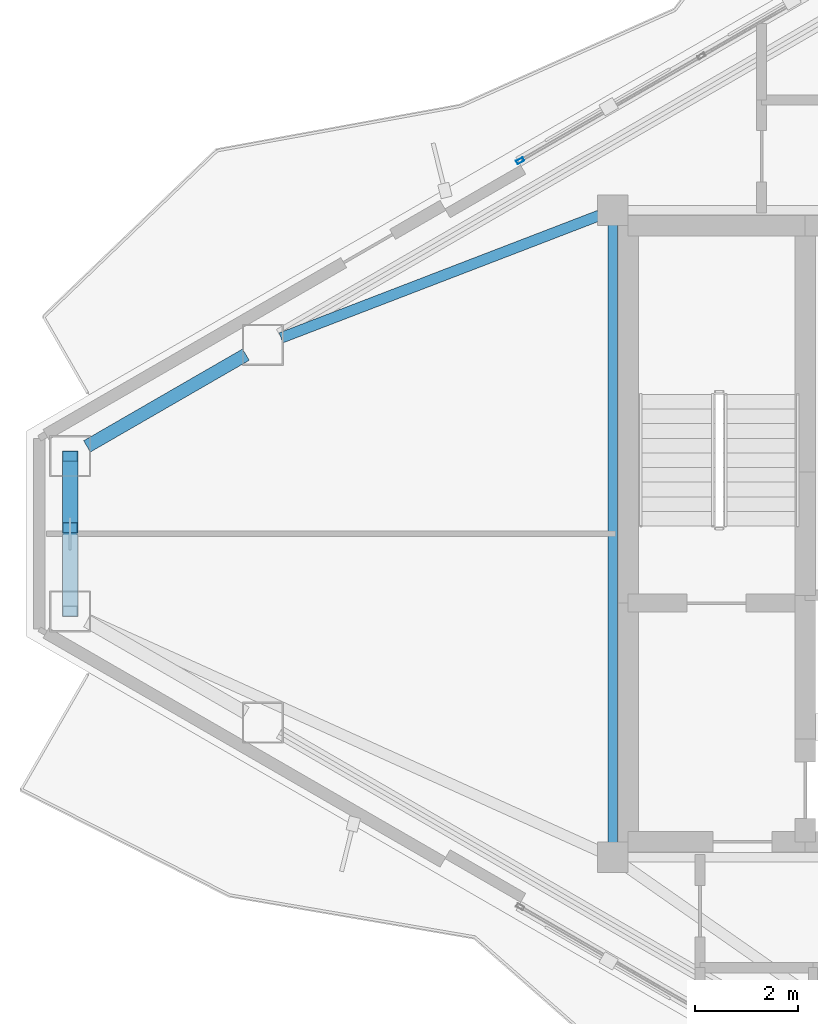
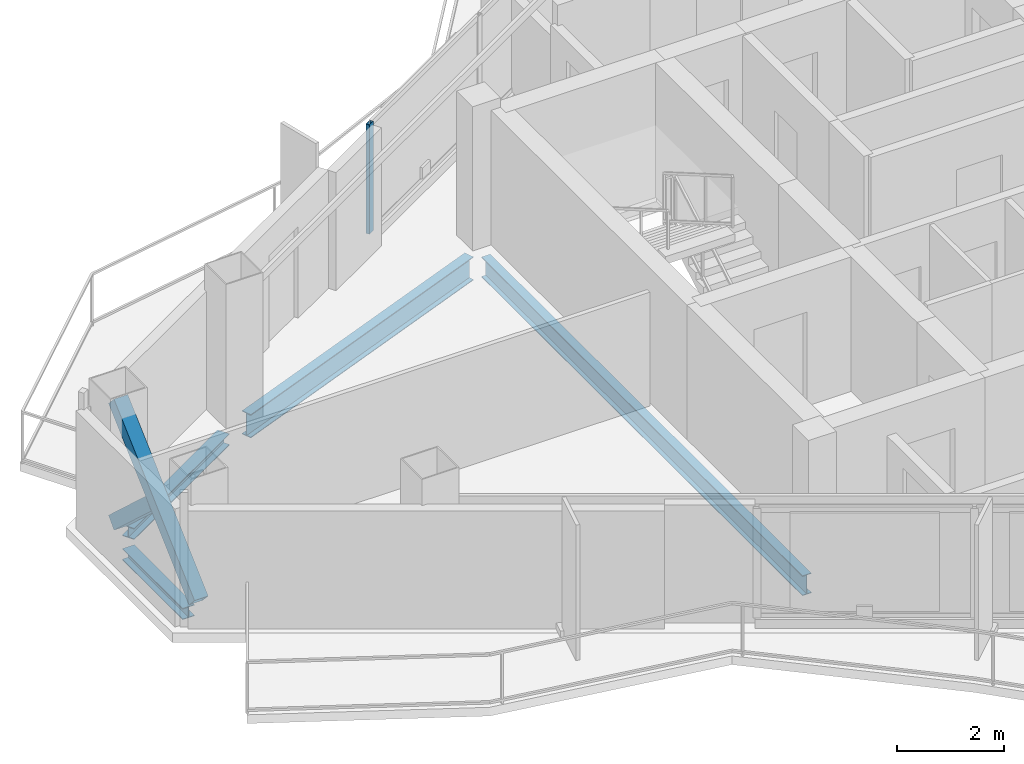
# One storey, part 8 of 18: 4 beams, 3 members, 1 element without a shape of its own.
"""IFC4 building model written with IfcOpenShell, lengths in metres."""

from ifc_helpers import new_model, si_unit, direction, frame, origin, origin_2d, place, context, subcontext, project, spatial, hollow_rectangle, i_section, extrude, material, layer, layer_set, material_profile, profile_set, type_object, element, aggregate, save


model = new_model("IFC4")

# Units and contexts
model_context = context("Model", 3, precision=1e-05, world=origin(), true_north=direction((0.0, 1.0)))
body_context = subcontext(model_context, "Body", "Model", "MODEL_VIEW")
ifc_project = project(units=[si_unit("LENGTHUNIT", "METRE"), si_unit("AREAUNIT", "SQUARE_METRE"), si_unit("VOLUMEUNIT", "CUBIC_METRE"), si_unit("PLANEANGLEUNIT", "RADIAN"), si_unit("MASSUNIT", "GRAM", prefix="KILO")], contexts=[model_context])

# Site, building, storey
site_placement = place(None, origin())
site = spatial("IfcSite", under=ifc_project, at=site_placement, CompositionType="ELEMENT")
building_placement = place(site_placement, origin())
building = spatial("IfcBuilding", under=site, at=building_placement, Name="Mersakhor Tower and Convention Hall", CompositionType="ELEMENT")
storey_placement = place(building_placement, frame((0.0, 0.0, 229.800048828125)))
storey = spatial("IfcBuildingStorey", under=building, at=storey_placement, Name="L64", CompositionType="ELEMENT", Elevation=229.800048828125)

# Beams
ifc_material_1 = material(Name="Steel S355", Category="steel")
ifc_material_profile_1 = material_profile(ifc_material_1, i_section(OverallWidth=0.19140625, OverallDepth=0.4599609375, WebThickness=0.010009765625, FlangeThickness=0.01611328125, at=origin_2d()), Name="UB 457x191x82")
ifc_profile_set_1 = profile_set([ifc_material_profile_1], Name="Steel S355")
beam_type_1 = type_object("IfcBeamType", Name="BM-FB-457", PredefinedType="BEAM", material=ifc_profile_set_1)
beam_1_placement = place(storey_placement, frame((21.89990234375, 20.72998046875, -0.449951171875), z_axis=(0.0, 1.0, 0.0), x_axis=(-1.0, 0.0, 0.0)))
element("IfcBeam", 1, at=beam_1_placement, inside=storey, type_object=beam_type_1, Name="L64 Core Ring Tie Beam CRB-1", PredefinedType="BEAM", context=body_context, shape_type="SweptSolid", body=[
    extrude(i_section(OverallWidth=0.19140625, OverallDepth=0.4599609375, WebThickness=0.010009765625, FlangeThickness=0.01611328125, at=origin_2d()), origin(), (0.0, 0.0, 1.0), 12.0400390625),
])
ifc_material_2 = material(Name="Steel S355", Category="steel")
ifc_material_profile_2 = material_profile(ifc_material_2, i_section(OverallWidth=0.2099609375, OverallDepth=0.53662109375, WebThickness=0.0107421875, FlangeThickness=0.017333984375, at=origin_2d()), Name="UB 533x210x101")
ifc_profile_set_2 = profile_set([ifc_material_profile_2], Name="Steel S355")
beam_type_2 = type_object("IfcBeamType", Name="BM-FB-533", PredefinedType="BEAM", material=ifc_profile_set_2)
beam_2_placement = place(storey_placement, frame((21.638671875, 32.949462890625, -0.48828125), z_axis=(-0.933316231297, -0.359055444741, 0.0), x_axis=(0.359055444741, -0.933316231297, 0.0)))
element("IfcBeam", 2, at=beam_2_placement, inside=storey, type_object=beam_type_2, Name="L64 Primary Floor Girder FG-1", PredefinedType="BEAM", context=body_context, shape_type="SweptSolid", body=[
    extrude(i_section(OverallWidth=0.2099609375, OverallDepth=0.53662109375, WebThickness=0.0107421875, FlangeThickness=0.017333984375, at=origin_2d()), origin(), (0.0, 0.0, 1.0), 6.64111328125),
])
ifc_material_3 = material(Name="Steel S355", Category="steel")
ifc_material_profile_3 = material_profile(ifc_material_3, i_section(OverallWidth=0.25634765625, OverallDepth=0.26025390625, WebThickness=0.01025390625, FlangeThickness=0.017333984375, at=origin_2d()), Name="UC 254x254x89")
ifc_profile_set_3 = profile_set([ifc_material_profile_3], Name="Steel S355")
beam_type_3 = type_object("IfcBeamType", Name="BM-SPD-UC254", PredefinedType="SPANDREL", material=ifc_profile_set_3)
beam_3_placement = place(storey_placement, frame((11.6611328125, 28.451416015625, -0.35009765625), z_axis=(0.866032030752, 0.499988521579, 0.0), x_axis=(-0.499988521579, 0.866032030752, 0.0)))
element("IfcBeam", 3, at=beam_3_placement, inside=storey, type_object=beam_type_3, Name="L64 Perimeter Spandrel Beam SPB-01", PredefinedType="SPANDREL", context=body_context, shape_type="SweptSolid", body=[
    extrude(i_section(OverallWidth=0.25634765625, OverallDepth=0.26025390625, WebThickness=0.01025390625, FlangeThickness=0.017333984375, at=origin_2d()), origin(), (0.0, 0.0, 1.0), 3.57421875),
])
beam_4_placement = place(storey_placement, frame((11.33203125, 25.61865234375, -0.35009765625), z_axis=(0.0, 1.0, 0.0), x_axis=(-1.0, 0.0, 0.0)))
element("IfcBeam", 4, at=beam_4_placement, inside=storey, type_object=beam_type_3, Name="L64 Perimeter Spandrel Beam SPB-12", PredefinedType="SPANDREL", context=body_context, shape_type="SweptSolid", body=[
    extrude(i_section(OverallWidth=0.25634765625, OverallDepth=0.26025390625, WebThickness=0.01025390625, FlangeThickness=0.017333984375, at=origin_2d()), origin(), (0.0, 0.0, 1.0), 2.2626953125),
])

# Curtain wall, member
ifc_material_4 = material(Name="Dark solar low-E aluminium curtain wall", Category="aluminium")
ifc_layer = layer(ifc_material_4, 0.179931640625)
ifc_layer_set = layer_set([ifc_layer], Name="Dark solar low-E aluminium curtain wall")
curtain_wall_type = type_object("IfcCurtainWallType", Name="CW-SYS-03", PredefinedType="USERDEFINED", material=ifc_layer_set)
curtain_wall_placement = place(storey_placement, origin())
curtain_wall = element("IfcCurtainWall", 5, at=curtain_wall_placement, inside=storey, type_object=curtain_wall_type, Name="L64 Dark-Glass Curtain Wall F1-B2", ObjectType="CURTAIN WALL", PredefinedType="USERDEFINED")
ifc_material_5 = material(Name="Anodised aluminium EN AW-6063 T6", Category="aluminium")
ifc_material_profile_4 = material_profile(ifc_material_5, hollow_rectangle(XDim=0.074951171875, YDim=0.14990234375, WallThickness=0.00634765625, at=origin_2d()), Name="RHS 150x75x6.3")
ifc_profile_set_4 = profile_set([ifc_material_profile_4], Name="Anodised aluminium EN AW-6063 T6")
member_type_1 = type_object("IfcMemberType", Name="CWM-150x75", PredefinedType="MULLION", material=ifc_profile_set_4)
member_1_placement = place(storey_placement, frame((20.098388671875, 34.015380859375, 0.199951171875), z_axis=(0.0, 0.0, 1.0), x_axis=(-0.500004411169, 0.86602285698, 0.0)))
member_1 = element("IfcMember", 6, at=member_1_placement, type_object=member_type_1, Name="CW-03 mullion 1", PredefinedType="MULLION", context=body_context, shape_type="SweptSolid", body=[
    extrude(hollow_rectangle(XDim=0.074951171875, YDim=0.14990234375, WallThickness=0.00634765625, at=origin_2d()), origin(), (0.0, 0.0, 1.0), 2.5),
])
aggregate(curtain_wall, [member_1])

# Members
ifc_material_6 = material(Name="Steel S355", Category="steel")
ifc_material_profile_5 = material_profile(ifc_material_6, hollow_rectangle(XDim=0.300048828125, YDim=0.300048828125, WallThickness=0.01611328125, at=origin_2d()), Name="SHS 300x300x16")
ifc_profile_set_5 = profile_set([ifc_material_profile_5], Name="Steel S355")
member_type_2 = type_object("IfcMemberType", Name="MB-BRC-SHS300", PredefinedType="BRACE", material=ifc_profile_set_5)
member_2_placement = place(storey_placement, frame((11.33203125, 25.23876953125, 0.14990234375), z_axis=(0.0, 0.736008025896, 0.676972810249), x_axis=(-1.0, 0.0, 0.0)))
element("IfcMember", 7, at=member_2_placement, inside=storey, type_object=member_type_2, Name="L64 Chamfer Braced Frame Diagonal CB-3A", PredefinedType="BRACE", context=body_context, shape_type="SweptSolid", body=[
    extrude(hollow_rectangle(XDim=0.300048828125, YDim=0.300048828125, WallThickness=0.01611328125, at=origin_2d()), origin(), (0.0, 0.0, 1.0), 4.1064453125),
])
member_3_placement = place(storey_placement, frame((11.33203125, 28.26123046875, 0.14990234375), z_axis=(0.0, -0.735997778537, 0.676983951057), x_axis=(1.0, 0.0, 0.0)))
element("IfcMember", 8, at=member_3_placement, inside=storey, type_object=member_type_2, Name="L64 Chamfer Braced Frame Diagonal CB-3B Lower Half", PredefinedType="BRACE", context=body_context, shape_type="SweptSolid", body=[
    extrude(hollow_rectangle(XDim=0.300048828125, YDim=0.300048828125, WallThickness=0.01611328125, at=origin_2d()), origin(), (0.0, 0.0, 1.0), 1.894775390625),
])

save(model, "model.ifc")
